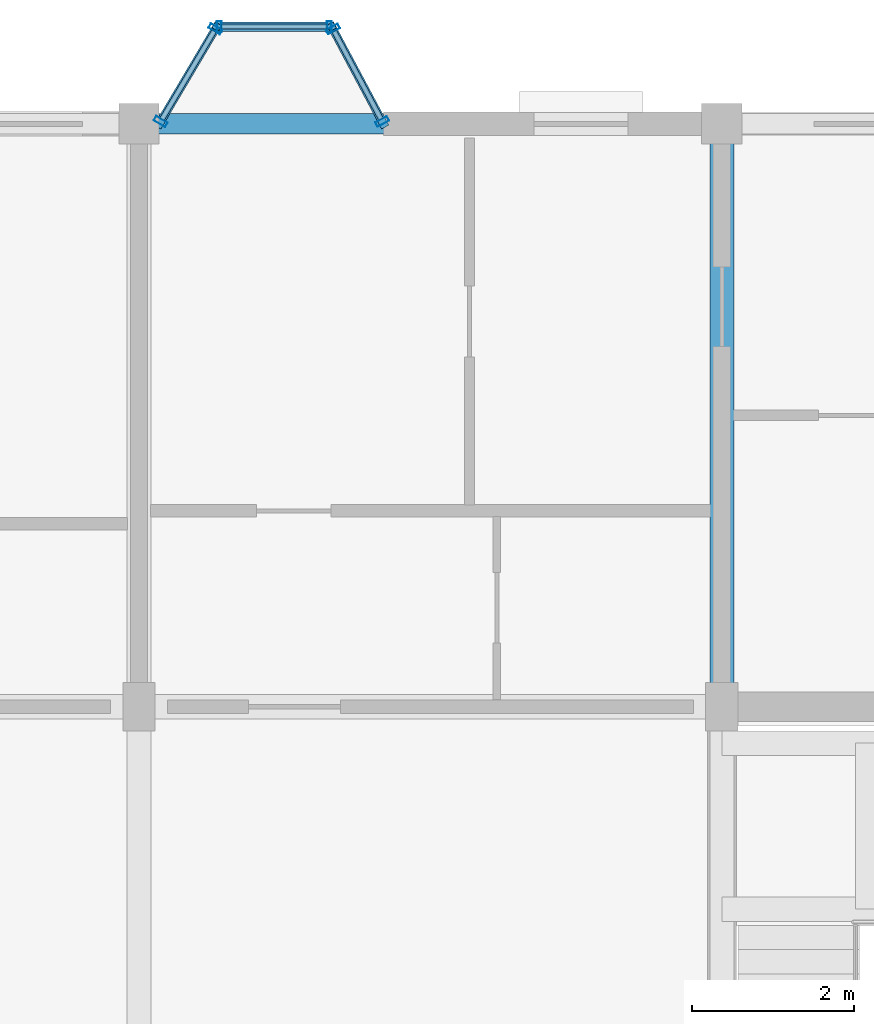
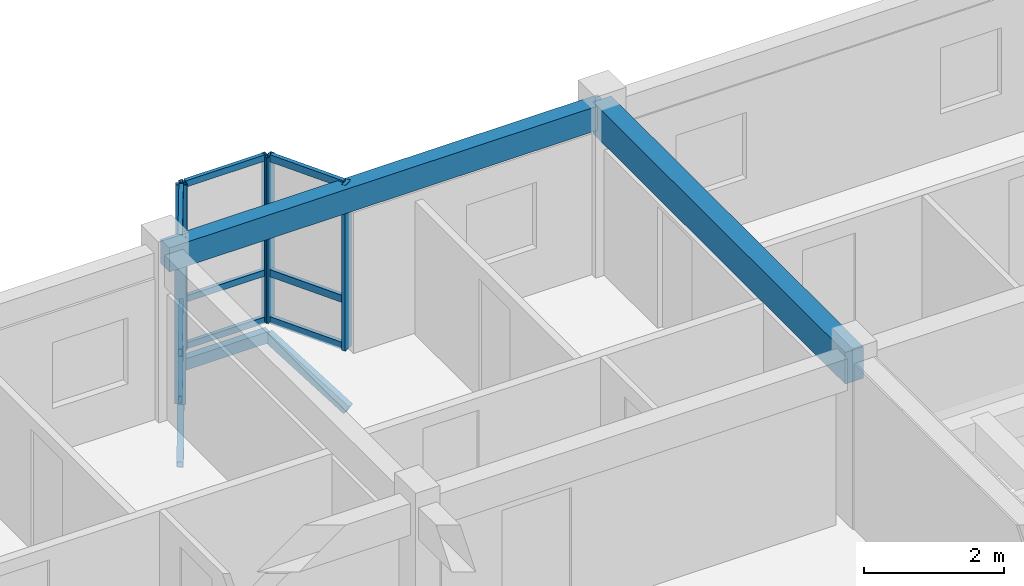
# One storey, part 37 of 65: 18 members, 2 beams, 3 elements without a shape of their own.
"""IFC4 building model written with IfcOpenShell, lengths in metres."""

from ifc_helpers import new_model, si_unit, direction, frame, origin, origin_2d, place, context, subcontext, project, spatial, rectangle, hollow_rectangle, extrude, material, layer, layer_set, material_profile, profile_set, type_object, element, aggregate, save


model = new_model("IFC4")

# Units and contexts
model_context = context("Model", 3, precision=1e-05, world=origin(), true_north=direction((0.0, 1.0)))
body_context = subcontext(model_context, "Body", "Model", "MODEL_VIEW")
ifc_project = project(units=[si_unit("LENGTHUNIT", "METRE"), si_unit("AREAUNIT", "SQUARE_METRE"), si_unit("VOLUMEUNIT", "CUBIC_METRE"), si_unit("PLANEANGLEUNIT", "RADIAN"), si_unit("MASSUNIT", "GRAM", prefix="KILO"), si_unit("THERMODYNAMICTEMPERATUREUNIT", "KELVIN"), si_unit("POWERUNIT", "WATT")], contexts=[model_context])

# Site, building, storey
site_placement = place(None, origin())
site = spatial("IfcSite", under=ifc_project, at=site_placement, CompositionType="ELEMENT")
building_placement = place(site_placement, origin())
building = spatial("IfcBuilding", under=site, at=building_placement, Name="Tavuni Mirador Residences", CompositionType="ELEMENT")
storey_placement = place(building_placement, frame((0.0, 0.0, 29.699951171875)))
storey = spatial("IfcBuildingStorey", under=building, at=storey_placement, Name="L09", CompositionType="ELEMENT", Elevation=29.699951171875)

# Beams
ifc_material_1 = material(Name="Precast concrete C40/50", Category="concrete")
ifc_material_profile_1 = material_profile(ifc_material_1, rectangle(XDim=0.300048828125, YDim=0.550048828125, at=origin_2d()), Name="PC 300x550", Category="concrete")
ifc_profile_set_1 = profile_set([ifc_material_profile_1], Name="Precast concrete C40/50")
beam_type_1 = type_object("IfcBeamType", Name="BT-B550", PredefinedType="BEAM", material=ifc_profile_set_1)
beam_1_placement = place(storey_placement, frame((25.199951171875, 165.60009765625, 2.610107421875), z_axis=(0.0, 1.0, 0.0), x_axis=(-1.0, 0.0, 0.0)))
element("IfcBeam", 1, at=beam_1_placement, inside=storey, type_object=beam_type_1, Name="BMY-BLK-C-L09-02-03", PredefinedType="BEAM", context=body_context, shape_type="SweptSolid", body=[
    extrude(rectangle(XDim=0.300048828125, YDim=0.550048828125, at=origin_2d()), origin(), (0.0, 0.0, 1.0), 7.199951171875),
])
ifc_material_profile_2 = material_profile(ifc_material_1, rectangle(XDim=0.25, YDim=0.419921875, at=origin_2d()), Name="PC 250x420", Category="concrete")
ifc_profile_set_2 = profile_set([ifc_material_profile_2], Name="Precast concrete C40/50")
beam_type_2 = type_object("IfcBeamType", Name="BT-SP420", PredefinedType="SPANDREL", material=ifc_profile_set_2)
beam_2_placement = place(storey_placement, frame((18.0, 172.800048828125, 2.675048828125), z_axis=(1.0, 0.0, 0.0), x_axis=(0.0, 1.0, 0.0)))
element("IfcBeam", 2, at=beam_2_placement, inside=storey, type_object=beam_type_2, Name="BMX-BLK-C-L09-01-04", PredefinedType="SPANDREL", context=body_context, shape_type="SweptSolid", body=[
    extrude(rectangle(XDim=0.25, YDim=0.419921875, at=origin_2d()), origin(), (0.0, 0.0, 1.0), 7.199951171875),
])

# Curtain wall, members
ifc_material_2 = material(Name="Anodised aluminium", Category="aluminium")
ifc_layer_1 = layer(ifc_material_2, 0.175048828125, Name="Anodised aluminium", Category="aluminium")
ifc_layer_set_1 = layer_set([ifc_layer_1], Name="Anodised aluminium")
curtain_wall_type_1 = type_object("IfcCurtainWallType", Name="CWT-MIR-C", PredefinedType="NOTDEFINED", material=ifc_layer_set_1)
curtain_wall_1_placement = place(storey_placement, origin())
curtain_wall_1 = element("IfcCurtainWall", 3, at=curtain_wall_1_placement, inside=storey, type_object=curtain_wall_type_1, Name="CW-MIR-C-N1-L09-MF", PredefinedType="NOTDEFINED")
ifc_material_profile_3 = material_profile(ifc_material_2, hollow_rectangle(XDim=0.06005859375, YDim=0.139892578125, WallThickness=0.00390625, at=origin_2d()), Name="ALU 60x140x4.0", Category="aluminium")
ifc_profile_set_3 = profile_set([ifc_material_profile_3], Name="Anodised aluminium")
member_type_1 = type_object("IfcMemberType", Name="CWM-140", PredefinedType="MULLION", material=ifc_profile_set_3)
member_1_placement = place(storey_placement, frame((20.35009765625, 174.0, 0.0), z_axis=(0.0, 0.0, 1.0), x_axis=(-1.0, 0.0, 0.0)))
member_1 = element("IfcMember", 4, at=member_1_placement, type_object=member_type_1, Name="CW-03 mullion 1", PredefinedType="MULLION", context=body_context, shape_type="SweptSolid", body=[
    extrude(hollow_rectangle(XDim=0.06005859375, YDim=0.139892578125, WallThickness=0.00390625, at=origin_2d()), origin(), (0.0, 0.0, 1.0), 2.885009765625),
])
member_2_placement = place(storey_placement, frame((18.989990234375, 174.0, 0.0), z_axis=(0.0, 0.0, 1.0), x_axis=(-1.0, 0.0, 0.0)))
member_2 = element("IfcMember", 5, at=member_2_placement, type_object=member_type_1, Name="CW-03 mullion 2", PredefinedType="MULLION", context=body_context, shape_type="SweptSolid", body=[
    extrude(hollow_rectangle(XDim=0.06005859375, YDim=0.139892578125, WallThickness=0.00390625, at=origin_2d()), origin(), (0.0, 0.0, 1.0), 2.885009765625),
])

ifc_layer_2 = layer(ifc_material_2, 0.14990234375, Name="Anodised aluminium", Category="aluminium")
ifc_layer_set_2 = layer_set([ifc_layer_2], Name="Anodised aluminium")
curtain_wall_type_2 = type_object("IfcCurtainWallType", Name="CWT-MIR-B", PredefinedType="NOTDEFINED", material=ifc_layer_set_2)
curtain_wall_2_placement = place(storey_placement, origin())
curtain_wall_2 = element("IfcCurtainWall", 6, at=curtain_wall_2_placement, inside=storey, type_object=curtain_wall_type_2, Name="CW-MIR-C-N1-L09-M1", PredefinedType="NOTDEFINED")
ifc_material_profile_4 = material_profile(ifc_material_2, hollow_rectangle(XDim=0.06494140625, YDim=0.1650390625, WallThickness=0.00439453125, at=origin_2d()), Name="ALU 65x165x4.5", Category="aluminium")
ifc_profile_set_4 = profile_set([ifc_material_profile_4], Name="Anodised aluminium")
member_type_2 = type_object("IfcMemberType", Name="CWM-165", PredefinedType="MULLION", material=ifc_profile_set_4)
member_3_placement = place(storey_placement, frame((21.004638671875, 172.82861328125, 0.0), z_axis=(0.0, 0.0, 1.0), x_axis=(-0.470588235296, 0.882352941175, 0.0)))
member_3 = element("IfcMember", 7, at=member_3_placement, type_object=member_type_2, Name="CW-02 mullion 1", PredefinedType="MULLION", context=body_context, shape_type="SweptSolid", body=[
    extrude(hollow_rectangle(XDim=0.06494140625, YDim=0.1650390625, WallThickness=0.00439453125, at=origin_2d()), origin(), (0.0, 0.0, 1.0), 2.885009765625),
])
member_4_placement = place(storey_placement, frame((20.395263671875, 173.971435546875, 0.0), z_axis=(0.0, 0.0, 1.0), x_axis=(-0.470588235296, 0.882352941175, 0.0)))
member_4 = element("IfcMember", 8, at=member_4_placement, type_object=member_type_2, Name="CW-02 mullion 2", PredefinedType="MULLION", context=body_context, shape_type="SweptSolid", body=[
    extrude(hollow_rectangle(XDim=0.06494140625, YDim=0.1650390625, WallThickness=0.00439453125, at=origin_2d()), origin(), (0.0, 0.0, 1.0), 2.885009765625),
])

ifc_layer_3 = layer(ifc_material_2, 0.159912109375, Name="Anodised aluminium", Category="aluminium")
ifc_layer_set_3 = layer_set([ifc_layer_3], Name="Anodised aluminium")
curtain_wall_type_3 = type_object("IfcCurtainWallType", Name="CWT-MIR-D", PredefinedType="NOTDEFINED", material=ifc_layer_set_3)
curtain_wall_3_placement = place(storey_placement, origin())
curtain_wall_3 = element("IfcCurtainWall", 9, at=curtain_wall_3_placement, inside=storey, type_object=curtain_wall_type_3, Name="CW-MIR-C-N1-L09-M2", PredefinedType="NOTDEFINED")
member_5_placement = place(storey_placement, frame((18.943359375, 173.971923828125, 0.0), z_axis=(0.0, 0.0, 1.0), x_axis=(-0.509212491254, -0.860640830284, 0.0)))
member_5 = element("IfcMember", 10, at=member_5_placement, type_object=member_type_2, Name="CW-04 mullion 1", PredefinedType="MULLION", context=body_context, shape_type="SweptSolid", body=[
    extrude(hollow_rectangle(XDim=0.06494140625, YDim=0.1650390625, WallThickness=0.00439453125, at=origin_2d()), origin(), (0.0, 0.0, 1.0), 2.885009765625),
])
member_6_placement = place(storey_placement, frame((18.2666015625, 172.827880859375, 0.0), z_axis=(0.0, 0.0, 1.0), x_axis=(-0.509212491254, -0.860640830284, 0.0)))
member_6 = element("IfcMember", 11, at=member_6_placement, type_object=member_type_2, Name="CW-04 mullion 2", PredefinedType="MULLION", context=body_context, shape_type="SweptSolid", body=[
    extrude(hollow_rectangle(XDim=0.06494140625, YDim=0.1650390625, WallThickness=0.00439453125, at=origin_2d()), origin(), (0.0, 0.0, 1.0), 2.885009765625),
])

# Member
ifc_material_profile_5 = material_profile(ifc_material_2, hollow_rectangle(XDim=0.06005859375, YDim=0.110107421875, WallThickness=0.00390625, at=origin_2d()), Name="ALU 60x110x4.0", Category="aluminium")
ifc_profile_set_5 = profile_set([ifc_material_profile_5], Name="Anodised aluminium")
member_type_3 = type_object("IfcMemberType", Name="CWT-110", PredefinedType="USERDEFINED", material=ifc_profile_set_5)
member_7_placement = place(storey_placement, frame((20.320068359375, 174.0, 0.030029296875), z_axis=(-1.0, 0.0, 0.0), x_axis=(0.0, -1.0, 0.0)))
member_7 = element("IfcMember", 12, at=member_7_placement, type_object=member_type_3, Name="CW-03 transom 1.1", ObjectType="TRANSOM", PredefinedType="USERDEFINED", context=body_context, shape_type="SweptSolid", body=[
    extrude(hollow_rectangle(XDim=0.06005859375, YDim=0.110107421875, WallThickness=0.00390625, at=origin_2d()), origin(), (0.0, 0.0, 1.0), 1.300048828125),
])

member_8_placement = place(storey_placement, frame((20.320068359375, 174.0, 0.85009765625), z_axis=(-1.0, 0.0, 0.0), x_axis=(0.0, -1.0, 0.0)))
member_8 = element("IfcMember", 13, at=member_8_placement, type_object=member_type_3, Name="CW-03 transom 1.2", ObjectType="TRANSOM", PredefinedType="USERDEFINED", context=body_context, shape_type="SweptSolid", body=[
    extrude(hollow_rectangle(XDim=0.06005859375, YDim=0.110107421875, WallThickness=0.00390625, at=origin_2d()), origin(), (0.0, 0.0, 1.0), 1.300048828125),
])

member_9_placement = place(storey_placement, frame((20.320068359375, 174.0, 2.85498046875), z_axis=(-1.0, 0.0, 0.0), x_axis=(0.0, -1.0, 0.0)))
member_9 = element("IfcMember", 14, at=member_9_placement, type_object=member_type_3, Name="CW-03 transom 1.3", ObjectType="TRANSOM", PredefinedType="USERDEFINED", context=body_context, shape_type="SweptSolid", body=[
    extrude(hollow_rectangle(XDim=0.06005859375, YDim=0.110107421875, WallThickness=0.00390625, at=origin_2d()), origin(), (0.0, 0.0, 1.0), 1.300048828125),
])

aggregate(curtain_wall_1, [member_1, member_2, member_7, member_8, member_9])

ifc_material_profile_6 = material_profile(ifc_material_2, hollow_rectangle(XDim=0.06494140625, YDim=0.125, WallThickness=0.00439453125, at=origin_2d()), Name="ALU 65x125x4.5", Category="aluminium")
ifc_profile_set_6 = profile_set([ifc_material_profile_6], Name="Anodised aluminium")
member_type_4 = type_object("IfcMemberType", Name="CWT-125", PredefinedType="USERDEFINED", material=ifc_profile_set_6)
member_10_placement = place(storey_placement, frame((20.989501953125, 172.857421875, 0.032470703125), z_axis=(-0.470639747922, 0.882325465843, 0.0), x_axis=(-0.882325465843, -0.470639747922, 0.0)))
member_10 = element("IfcMember", 15, at=member_10_placement, type_object=member_type_4, Name="CW-02 transom 1.1", ObjectType="TRANSOM", PredefinedType="USERDEFINED", context=body_context, shape_type="SweptSolid", body=[
    extrude(hollow_rectangle(XDim=0.06494140625, YDim=0.125, WallThickness=0.00439453125, at=origin_2d()), origin(), (0.0, 0.0, 1.0), 1.22998046875),
])

member_11_placement = place(storey_placement, frame((20.989501953125, 172.857421875, 0.85009765625), z_axis=(-0.470639747922, 0.882325465843, 0.0), x_axis=(-0.882325465843, -0.470639747922, 0.0)))
member_11 = element("IfcMember", 16, at=member_11_placement, type_object=member_type_4, Name="CW-02 transom 1.2", ObjectType="TRANSOM", PredefinedType="USERDEFINED", context=body_context, shape_type="SweptSolid", body=[
    extrude(hollow_rectangle(XDim=0.06494140625, YDim=0.125, WallThickness=0.00439453125, at=origin_2d()), origin(), (0.0, 0.0, 1.0), 1.22998046875),
])

member_12_placement = place(storey_placement, frame((20.989501953125, 172.857421875, 2.8525390625), z_axis=(-0.470639747922, 0.882325465843, 0.0), x_axis=(-0.882325465843, -0.470639747922, 0.0)))
member_12 = element("IfcMember", 17, at=member_12_placement, type_object=member_type_4, Name="CW-02 transom 1.3", ObjectType="TRANSOM", PredefinedType="USERDEFINED", context=body_context, shape_type="SweptSolid", body=[
    extrude(hollow_rectangle(XDim=0.06494140625, YDim=0.125, WallThickness=0.00439453125, at=origin_2d()), origin(), (0.0, 0.0, 1.0), 1.22998046875),
])

aggregate(curtain_wall_2, [member_3, member_4, member_10, member_11, member_12])

member_13_placement = place(storey_placement, frame((18.927001953125, 173.944091796875, 0.032470703125), z_axis=(-0.509204147839, -0.860645766749, 0.0), x_axis=(0.860645766749, -0.509204147839, 0.0)))
member_13 = element("IfcMember", 18, at=member_13_placement, type_object=member_type_4, Name="CW-04 transom 1.1", ObjectType="TRANSOM", PredefinedType="USERDEFINED", context=body_context, shape_type="SweptSolid", body=[
    extrude(hollow_rectangle(XDim=0.06494140625, YDim=0.125, WallThickness=0.00439453125, at=origin_2d()), origin(), (0.0, 0.0, 1.0), 1.264404296875),
])

member_14_placement = place(storey_placement, frame((18.927001953125, 173.944091796875, 0.85009765625), z_axis=(-0.509204147839, -0.860645766749, 0.0), x_axis=(0.860645766749, -0.509204147839, 0.0)))
member_14 = element("IfcMember", 19, at=member_14_placement, type_object=member_type_4, Name="CW-04 transom 1.2", ObjectType="TRANSOM", PredefinedType="USERDEFINED", context=body_context, shape_type="SweptSolid", body=[
    extrude(hollow_rectangle(XDim=0.06494140625, YDim=0.125, WallThickness=0.00439453125, at=origin_2d()), origin(), (0.0, 0.0, 1.0), 1.264404296875),
])

member_15_placement = place(storey_placement, frame((18.927001953125, 173.944091796875, 2.8525390625), z_axis=(-0.509204147839, -0.860645766749, 0.0), x_axis=(0.860645766749, -0.509204147839, 0.0)))
member_15 = element("IfcMember", 20, at=member_15_placement, type_object=member_type_4, Name="CW-04 transom 1.3", ObjectType="TRANSOM", PredefinedType="USERDEFINED", context=body_context, shape_type="SweptSolid", body=[
    extrude(hollow_rectangle(XDim=0.06494140625, YDim=0.125, WallThickness=0.00439453125, at=origin_2d()), origin(), (0.0, 0.0, 1.0), 1.264404296875),
])

aggregate(curtain_wall_3, [member_5, member_6, member_13, member_14, member_15])

# Members
ifc_material_3 = material(Name="Structural steel S355", Category="steel")
ifc_material_profile_7 = material_profile(ifc_material_3, hollow_rectangle(XDim=0.10009765625, YDim=0.179931640625, WallThickness=0.008056640625, at=origin_2d()), Name="RHS 180x100x8.0", Category="steel")
ifc_profile_set_7 = profile_set([ifc_material_profile_7], Name="Structural steel S355")
member_type_5 = type_object("IfcMemberType", Name="MT-BR-RHS180", PredefinedType="BRACE", material=ifc_profile_set_7)
member_16_placement = place(storey_placement, frame((18.25, 172.800048828125, -1.050048828125), z_axis=(0.443691124558, 0.749911237002, 0.490684544903), x_axis=(-0.860644027762, 0.509207087026, 0.0)))
element("IfcMember", 21, at=member_16_placement, inside=storey, type_object=member_type_5, Name="MBRK-MIR-C-N1-L09-1", PredefinedType="BRACE", context=body_context, shape_type="SweptSolid", body=[
    extrude(hollow_rectangle(XDim=0.10009765625, YDim=0.179931640625, WallThickness=0.008056640625, at=origin_2d()), origin(), (0.0, 0.0, 1.0), 1.60009765625),
])
member_17_placement = place(storey_placement, frame((21.02001953125, 172.800048828125, -1.050048828125), z_axis=(-0.4076288534, 0.764109769055, 0.499974978084), x_axis=(-0.882303244255, -0.470681405175, 0.0)))
element("IfcMember", 22, at=member_17_placement, inside=storey, type_object=member_type_5, Name="MBRK-MIR-C-N1-L09-2", PredefinedType="BRACE", context=body_context, shape_type="SweptSolid", body=[
    extrude(hollow_rectangle(XDim=0.10009765625, YDim=0.179931640625, WallThickness=0.008056640625, at=origin_2d()), origin(), (0.0, 0.0, 1.0), 1.5703125),
])
ifc_material_profile_8 = material_profile(ifc_material_3, hollow_rectangle(XDim=0.1201171875, YDim=0.199951171875, WallThickness=0.010009765625, at=origin_2d()), Name="RHS 200x120x10.0", Category="steel")
ifc_profile_set_8 = profile_set([ifc_material_profile_8], Name="Structural steel S355")
member_type_6 = type_object("IfcMemberType", Name="MT-ST-RHS200", PredefinedType="STRUT", material=ifc_profile_set_8)
member_18_placement = place(storey_placement, frame((18.9599609375, 174.0, -0.264892578125), z_axis=(1.0, 0.0, 0.0), x_axis=(0.0, 1.0, 0.0)))
element("IfcMember", 23, at=member_18_placement, inside=storey, type_object=member_type_6, Name="MRIM-MIR-C-N1-L09", PredefinedType="STRUT", context=body_context, shape_type="SweptSolid", body=[
    extrude(hollow_rectangle(XDim=0.1201171875, YDim=0.199951171875, WallThickness=0.010009765625, at=origin_2d()), origin(), (0.0, 0.0, 1.0), 1.419921875),
])

save(model, "model.ifc")
